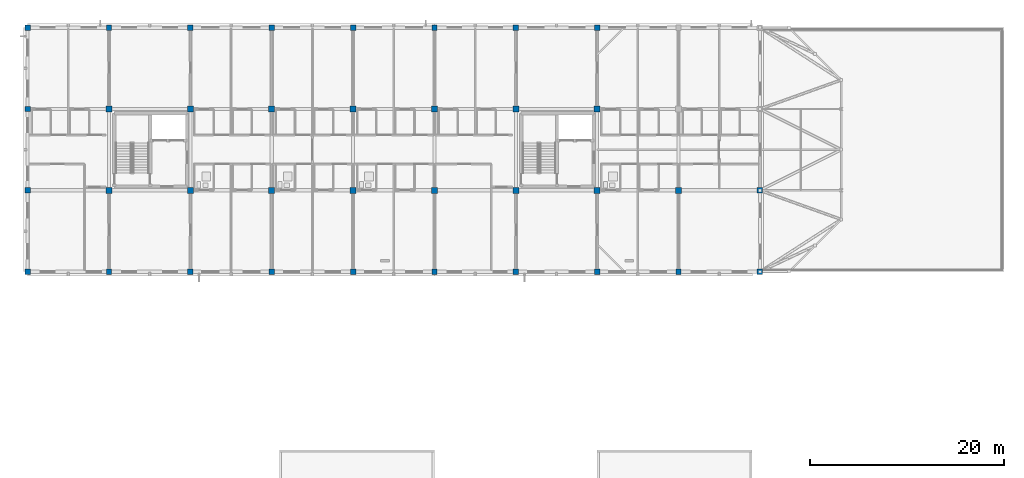
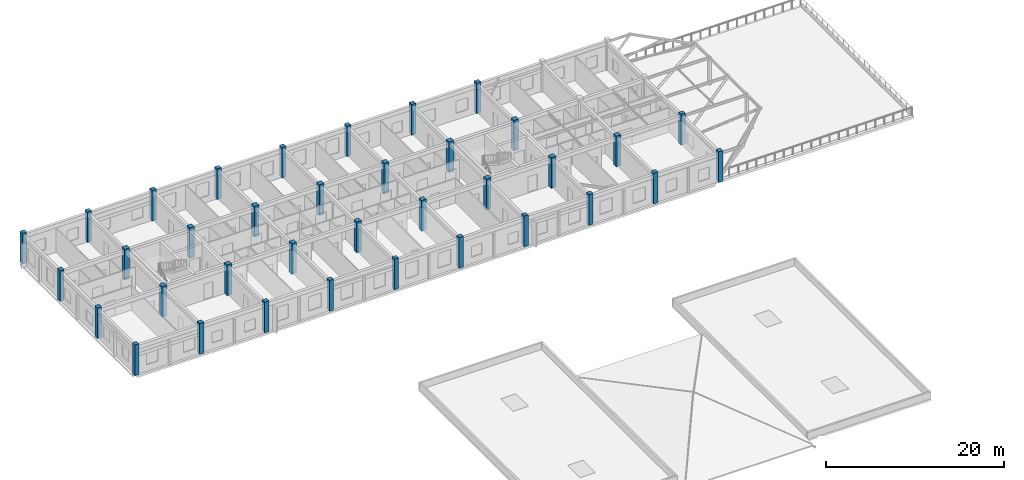
# One storey, part 1 of 21: 36 columns.
"""IFC4 building model written with IfcOpenShell, lengths in metres."""

from ifc_helpers import new_model, si_unit, direction, frame, origin, origin_2d, place, context, subcontext, project, spatial, rectangle, extrude, material, material_profile, profile_set, type_object, element, save


model = new_model("IFC4")

# Units and contexts
model_context = context("Model", 3, precision=1e-05, world=origin(), true_north=direction((0.0, 1.0)))
body_context = subcontext(model_context, "Body", "Model", "MODEL_VIEW")
ifc_project = project(units=[si_unit("LENGTHUNIT", "METRE"), si_unit("AREAUNIT", "SQUARE_METRE"), si_unit("VOLUMEUNIT", "CUBIC_METRE"), si_unit("PLANEANGLEUNIT", "RADIAN"), si_unit("MASSUNIT", "GRAM", prefix="KILO")], contexts=[model_context])

# Site, building, storey
site_placement = place(None, origin())
site = spatial("IfcSite", under=ifc_project, at=site_placement, CompositionType="ELEMENT")
building_placement = place(site_placement, origin())
building = spatial("IfcBuilding", under=site, at=building_placement, Name="Trelvath General Hospital", CompositionType="ELEMENT")
storey_placement = place(building_placement, frame((0.0, 0.0, 28.800048828125)))
storey = spatial("IfcBuildingStorey", under=building, at=storey_placement, Name="L07", CompositionType="ELEMENT", Elevation=28.800048828125)

# Columns
ifc_material_1 = material(Name="Concrete C40/50", Category="concrete")
ifc_material_profile_1 = material_profile(ifc_material_1, rectangle(XDim=0.550048828125, YDim=0.550048828125, at=origin_2d()), Name="RC550x550")
ifc_profile_set_1 = profile_set([ifc_material_profile_1], Name="Concrete C40/50")
column_type_1 = type_object("IfcColumnType", Name="Column RC550", PredefinedType="COLUMN", material=ifc_profile_set_1)
for number, where, z_axis, x_axis, name in (
    (1, (33.60009765625, 92.39990234375, 0.0), (0.0, 0.0, 1.0), (1.0, 0.0, 0.0), "Column C-5L L07"),
    (2, (33.60009765625, 100.800048828125, 0.0), (0.0, 0.0, 1.0), (1.0, 0.0, 0.0), "Column C-5M L07"),
    (3, (33.60009765625, 109.199951171875, 0.0), (0.0, 0.0, 1.0), (1.0, 0.0, 0.0), "Column C-5N L07"),
    (4, (33.60009765625, 117.60009765625, 0.0), (0.0, 0.0, 1.0), (1.0, 0.0, 0.0), "Column C-5O L07"),
    (5, (42.0, 92.39990234375, 0.0), (0.0, 0.0, 1.0), (1.0, 0.0, 0.0), "Column C-6L L07"),
    (6, (42.0, 117.60009765625, 0.0), (0.0, 0.0, 1.0), (1.0, 0.0, 0.0), "Column C-6O L07"),
    (7, (50.39990234375, 92.39990234375, 0.0), (0.0, 0.0, 1.0), (1.0, 0.0, 0.0), "Column C-7L L07"),
    (8, (50.39990234375, 117.60009765625, 0.0), (0.0, 0.0, 1.0), (1.0, 0.0, 0.0), "Column C-7O L07"),
    (9, (58.800048828125, 92.39990234375, 0.0), (0.0, 0.0, 1.0), (1.0, 0.0, 0.0), "Column C-8L L07"),
    (10, (58.800048828125, 117.60009765625, 0.0), (0.0, 0.0, 1.0), (1.0, 0.0, 0.0), "Column C-8O L07"),
    (11, (67.199951171875, 92.39990234375, 0.0), (0.0, 0.0, 1.0), (1.0, 0.0, 0.0), "Column C-9L L07"),
    (12, (67.199951171875, 117.60009765625, 0.0), (0.0, 0.0, 1.0), (1.0, 0.0, 0.0), "Column C-9O L07"),
    (13, (75.60009765625, 92.39990234375, 0.0), (0.0, 0.0, 1.0), (1.0, 0.0, 0.0), "Column C-10L L07"),
    (14, (75.60009765625, 117.60009765625, 0.0), (0.0, 0.0, 1.0), (1.0, 0.0, 0.0), "Column C-10O L07"),
    (15, (84.0, 92.39990234375, 0.0), (0.0, 0.0, 1.0), (1.0, 0.0, 0.0), "Column C-11L L07"),
    (16, (84.0, 117.60009765625, 0.0), (0.0, 0.0, 1.0), (1.0, 0.0, 0.0), "Column C-11O L07"),
    (17, (92.39990234375, 92.39990234375, 0.0), (0.0, 0.0, 1.0), (1.0, 0.0, 0.0), "Column C-12L L07"),
    (18, (92.39990234375, 117.60009765625, 0.0), (0.0, 0.0, 1.0), (1.0, 0.0, 0.0), "Column C-12O L07"),
    (19, (100.800048828125, 92.39990234375, 0.0), (0.0, 0.0, 1.0), (1.0, 0.0, 0.0), "Column C-13L L07"),
    (20, (109.199951171875, 92.39990234375, 0.0), (0.0, 0.0, 1.0), (1.0, 0.0, 0.0), "Column C-14L L07"),
    (21, (109.199951171875, 100.800048828125, 0.0), (0.0, 0.0, 1.0), (1.0, 0.0, 0.0), "Column C-14M L07"),
):
    element("IfcColumn", number, at=place(storey_placement, frame(where, z_axis=z_axis, x_axis=x_axis)), inside=storey, type_object=column_type_1, Name=name, PredefinedType="COLUMN", context=body_context, shape_type="SweptSolid", body=[
        extrude(rectangle(XDim=0.550048828125, YDim=0.550048828125, at=origin_2d()), origin(), (0.0, 0.0, 1.0), 4.199951171875),
    ])
ifc_material_2 = material(Name="Concrete C40/50", Category="concrete")
ifc_material_profile_2 = material_profile(ifc_material_2, rectangle(XDim=0.6201171875, YDim=0.6201171875, at=origin_2d()), Name="RC620x620")
ifc_profile_set_2 = profile_set([ifc_material_profile_2], Name="Concrete C40/50")
column_type_2 = type_object("IfcColumnType", Name="Column RC620", PredefinedType="COLUMN", material=ifc_profile_set_2)
for number, where, z_axis, x_axis, name in (
    (22, (42.0, 100.800048828125, 0.0), (0.0, 0.0, 1.0), (1.0, 0.0, 0.0), "Column C-6M L07"),
    (23, (42.0, 109.199951171875, 0.0), (0.0, 0.0, 1.0), (1.0, 0.0, 0.0), "Column C-6N L07"),
    (24, (50.39990234375, 100.800048828125, 0.0), (0.0, 0.0, 1.0), (1.0, 0.0, 0.0), "Column C-7M L07"),
    (25, (50.39990234375, 109.199951171875, 0.0), (0.0, 0.0, 1.0), (1.0, 0.0, 0.0), "Column C-7N L07"),
    (26, (58.800048828125, 100.800048828125, 0.0), (0.0, 0.0, 1.0), (1.0, 0.0, 0.0), "Column C-8M L07"),
    (27, (58.800048828125, 109.199951171875, 0.0), (0.0, 0.0, 1.0), (1.0, 0.0, 0.0), "Column C-8N L07"),
    (28, (67.199951171875, 100.800048828125, 0.0), (0.0, 0.0, 1.0), (1.0, 0.0, 0.0), "Column C-9M L07"),
    (29, (67.199951171875, 109.199951171875, 0.0), (0.0, 0.0, 1.0), (1.0, 0.0, 0.0), "Column C-9N L07"),
    (30, (75.60009765625, 100.800048828125, 0.0), (0.0, 0.0, 1.0), (1.0, 0.0, 0.0), "Column C-10M L07"),
    (31, (75.60009765625, 109.199951171875, 0.0), (0.0, 0.0, 1.0), (1.0, 0.0, 0.0), "Column C-10N L07"),
    (32, (84.0, 100.800048828125, 0.0), (0.0, 0.0, 1.0), (1.0, 0.0, 0.0), "Column C-11M L07"),
    (33, (84.0, 109.199951171875, 0.0), (0.0, 0.0, 1.0), (1.0, 0.0, 0.0), "Column C-11N L07"),
    (34, (92.39990234375, 100.800048828125, 0.0), (0.0, 0.0, 1.0), (1.0, 0.0, 0.0), "Column C-12M L07"),
    (35, (92.39990234375, 109.199951171875, 0.0), (0.0, 0.0, 1.0), (1.0, 0.0, 0.0), "Column C-12N L07"),
    (36, (100.800048828125, 100.800048828125, 0.0), (0.0, 0.0, 1.0), (1.0, 0.0, 0.0), "Column C-13M L07"),
):
    element("IfcColumn", number, at=place(storey_placement, frame(where, z_axis=z_axis, x_axis=x_axis)), inside=storey, type_object=column_type_2, Name=name, PredefinedType="COLUMN", context=body_context, shape_type="SweptSolid", body=[
        extrude(rectangle(XDim=0.6201171875, YDim=0.6201171875, at=origin_2d()), origin(), (0.0, 0.0, 1.0), 4.199951171875),
    ])

save(model, "model.ifc")
